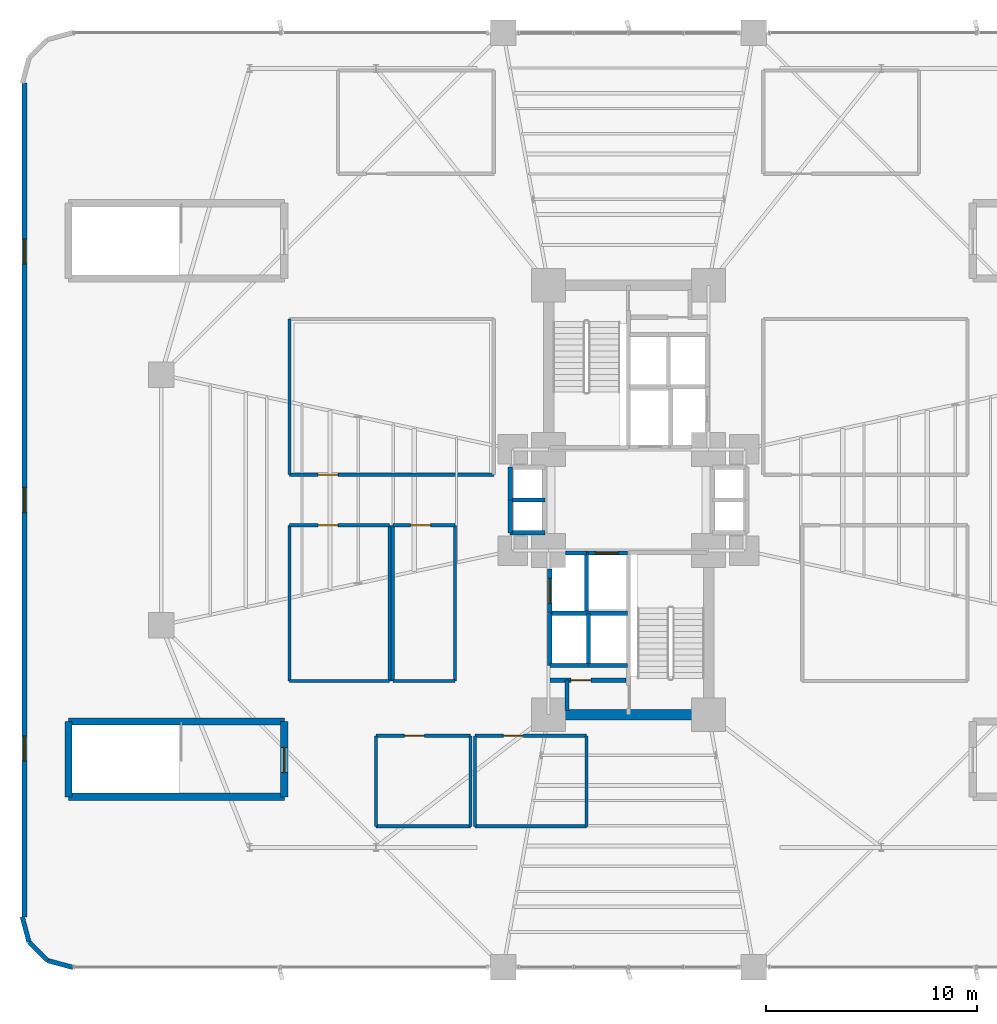
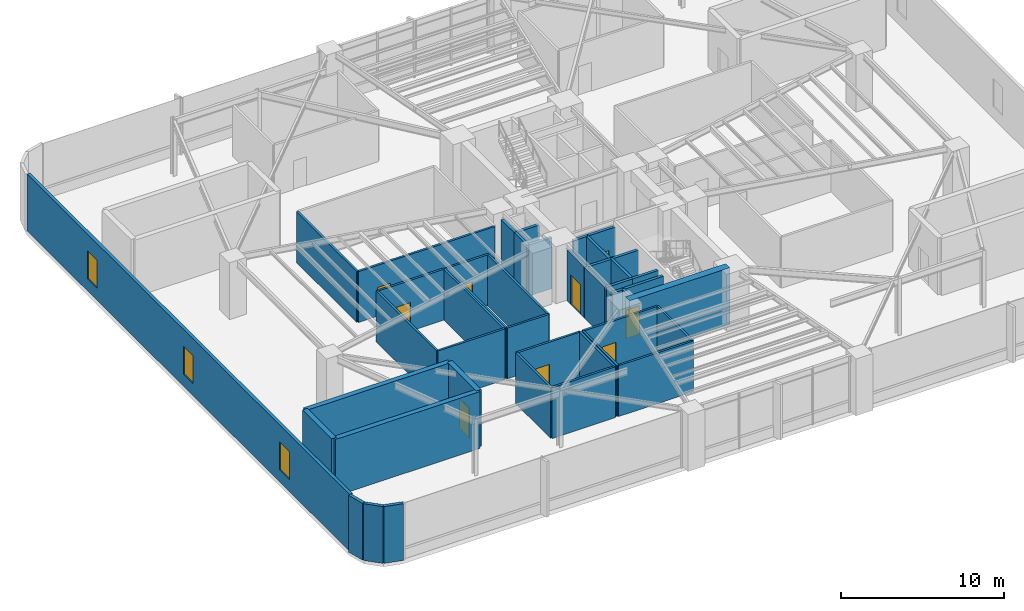
# One storey, part 21 of 26: 42 walls, 9 doors, 3 windows, 12 openings.
"""IFC4 building model written with IfcOpenShell, lengths in metres."""

import ifcopenshell
import ifcopenshell.guid

model = None  # the IFC model being written
_history = None  # IfcOwnerHistory: only IFC2X3 demands one
_inside = {}  # id of a spatial element -> (the spatial element, [elements in it])
_under = {}  # id of a project, library or spatial element -> (it, [spatial elements below it])
_declared = {}  # id of a project -> (the project, [libraries it declares])
_typed = {}  # id of a type object -> (the type object, [elements of that type])
_made_of = {}  # id of a material, layer set ... -> (it, [elements and type objects made of it])


def new_model(schema):
    """Start an empty IFC model of exactly this schema.

    Asked for "IFC4X3", IfcOpenShell would pick the latest addendum, in which some entities
    have other attributes; the version numbers below select the first issue.
    IFC2X3 requires an IfcOwnerHistory on every rooted entity: one is made here for all.
    """
    global model, _history
    if schema == "IFC4X3":
        model = ifcopenshell.file(schema_version=(4, 3, 0, 0))
    else:
        model = ifcopenshell.file(schema=schema)
    _inside.clear()
    _under.clear()
    _declared.clear()
    _typed.clear()
    _made_of.clear()
    _history = None
    if model.schema == "IFC2X3":
        org = make("IfcOrganization", Name="unknown")
        user = make(
            "IfcPersonAndOrganization",
            ThePerson=make("IfcPerson", FamilyName="unknown"),
            TheOrganization=org,
        )
        app = make(
            "IfcApplication",
            ApplicationDeveloper=org,
            Version="unknown",
            ApplicationFullName="unknown",
            ApplicationIdentifier="unknown",
        )
        _history = make(
            "IfcOwnerHistory",
            OwningUser=user,
            OwningApplication=app,
            ChangeAction="ADDED",
            CreationDate=0,
        )
    return model


def make(cls, **values):
    """One entity of the class cls with the attributes given. An attribute that is None is left unset."""
    return model.create_entity(
        cls, **{name: value for name, value in values.items() if value is not None}
    )


def rooted(cls, **values):
    """An entity with a GlobalId (a new one), such as an element, a storey or a relation."""
    return make(cls, GlobalId=ifcopenshell.guid.new(), OwnerHistory=_history, **values)


def si_unit(unit_type, name, prefix=None):
    """IfcSIUnit, for example si_unit("LENGTHUNIT", "METRE", prefix="MILLI")."""
    return make("IfcSIUnit", UnitType=unit_type, Prefix=prefix, Name=name)


def assignment(units):
    """IfcUnitAssignment: the units of a project."""
    return None if units is None else make("IfcUnitAssignment", Units=units)


def point(xyz):
    """IfcCartesianPoint."""
    return None if xyz is None else make("IfcCartesianPoint", Coordinates=xyz)


def direction(xyz):
    """IfcDirection."""
    return None if xyz is None else make("IfcDirection", DirectionRatios=xyz)


def frame(location, z_axis=None, x_axis=None):
    """IfcAxis2Placement3D, a coordinate frame: its origin and axes. An axis left out is left unset."""
    return make(
        "IfcAxis2Placement3D",
        Location=point(location),
        Axis=direction(z_axis),
        RefDirection=direction(x_axis),
    )


def frame_2d(location, x_axis=None):
    """IfcAxis2Placement2D, a coordinate frame in the plane: its origin and x axis."""
    return make(
        "IfcAxis2Placement2D", Location=point(location), RefDirection=direction(x_axis)
    )


def origin():
    """The frame at (0, 0, 0) with its axes left unset."""
    return frame((0.0, 0.0, 0.0))


def origin_2d():
    """The frame at (0, 0) in the plane with its x axis left unset."""
    return frame_2d((0.0, 0.0))


def place(relative_to, where):
    """IfcLocalPlacement: puts the frame where relative to a parent placement (None: the world)."""
    return make(
        "IfcLocalPlacement", PlacementRelTo=relative_to, RelativePlacement=where
    )


def context(
    kind, dimensions, precision=None, world=None, true_north=None, identifier=None
):
    """IfcGeometricRepresentationContext, for example the 3D "Model" context."""
    return make(
        "IfcGeometricRepresentationContext",
        ContextIdentifier=identifier,
        ContextType=kind,
        CoordinateSpaceDimension=dimensions,
        Precision=precision,
        WorldCoordinateSystem=world,
        TrueNorth=true_north,
    )


def subcontext(parent, identifier, kind, view, scale=None):
    """IfcGeometricRepresentationSubContext, for example "Body" below "Model"."""
    return make(
        "IfcGeometricRepresentationSubContext",
        ContextIdentifier=identifier,
        ContextType=kind,
        ParentContext=parent,
        TargetScale=scale,
        TargetView=view,
    )


def project(units=None, contexts=None):
    """IfcProject with its units and contexts."""
    return rooted(
        "IfcProject",
        Name="project",
        RepresentationContexts=contexts,
        UnitsInContext=assignment(units),
    )


def spatial(cls, under=None, at=None, **own):
    """A site, building, storey or space (cls), placed at a placement, below another one or the project."""
    s = rooted(cls, ObjectPlacement=at, **own)
    if under is not None:
        _under.setdefault(under.id(), (under, []))[1].append(s)
    return s


def profile(cls, at=None, kind="AREA", **sizes):
    """A parametric profile (cls). Its sizes go by their IFC names, for example OverallWidth=200.0."""
    return make(cls, ProfileType=kind, Position=at, **sizes)


def rectangle(**sizes):
    """IfcRectangleProfileDef."""
    return profile("IfcRectangleProfileDef", **sizes)


def extrude(swept, where, along, depth):
    """IfcExtrudedAreaSolid: the profile swept, set in the frame where, extruded along a direction by depth."""
    return make(
        "IfcExtrudedAreaSolid",
        SweptArea=swept,
        Position=where,
        ExtrudedDirection=direction(along),
        Depth=depth,
    )


def shape(context_of_items, identifier, shape_type, items):
    """IfcShapeRepresentation: the items that make up one representation, for example the "Body"."""
    return make(
        "IfcShapeRepresentation",
        ContextOfItems=context_of_items,
        RepresentationIdentifier=identifier,
        RepresentationType=shape_type,
        Items=items,
    )


def source(mapping_origin, context_of_items, identifier, shape_type, items):
    """IfcRepresentationMap: a shape defined once, which mapped items show again and again."""
    return make(
        "IfcRepresentationMap",
        MappingOrigin=mapping_origin,
        MappedRepresentation=shape(context_of_items, identifier, shape_type, items),
    )


def transform(
    local_origin,
    x_axis=None,
    y_axis=None,
    z_axis=None,
    scale=None,
    scale2=None,
    scale3=None,
    uniform=True,
):
    """IfcCartesianTransformationOperator3D, or its non-uniform kind. x_axis, y_axis, z_axis: its Axis1, 2, 3."""
    if uniform:
        return make(
            "IfcCartesianTransformationOperator3D",
            Axis1=direction(x_axis),
            Axis2=direction(y_axis),
            LocalOrigin=point(local_origin),
            Scale=scale,
            Axis3=direction(z_axis),
        )
    return make(
        "IfcCartesianTransformationOperator3DnonUniform",
        Axis1=direction(x_axis),
        Axis2=direction(y_axis),
        LocalOrigin=point(local_origin),
        Scale=scale,
        Axis3=direction(z_axis),
        Scale2=scale2,
        Scale3=scale3,
    )


def mapped(mapping_source, mapping_target):
    """IfcMappedItem: shows the shape of a source again, moved by a transform."""
    return make(
        "IfcMappedItem", MappingSource=mapping_source, MappingTarget=mapping_target
    )


def material(Name=None, Category=None):
    """IfcMaterial."""
    return make("IfcMaterial", Name=Name, Category=Category)


def layer(
    of_material, thickness, ventilated=None, Name=None, Category=None, Priority=None
):
    """IfcMaterialLayer: one layer of a wall or slab, of a material (None: an air gap)."""
    return make(
        "IfcMaterialLayer",
        Material=of_material,
        LayerThickness=thickness,
        IsVentilated=ventilated,
        Name=Name,
        Category=Category,
        Priority=Priority,
    )


def layer_set(layers, Name=None):
    """IfcMaterialLayerSet."""
    return make("IfcMaterialLayerSet", MaterialLayers=layers, LayerSetName=Name)


def made_of(thing, what):
    """Note that an element or type object is made of a material, layer set ...; save() writes the relation."""
    if what is not None:
        _made_of.setdefault(what.id(), (what, []))[1].append(thing)
    return thing


def type_object(cls, material=None, **own):
    """A type object (cls), such as IfcWallType, which elements share."""
    return made_of(rooted(cls, **own), material)


def element(
    cls,
    number,
    at=None,
    inside=None,
    cuts=None,
    type_object=None,
    material=None,
    context=None,
    identifier="Body",
    shape_type=None,
    held_by="IfcProductDefinitionShape",
    body=None,
    shapes=None,
    **own,
):
    """One element of the class cls, such as IfcWall. Its Tag is "e" and its number.

    at: its placement. inside: the storey or other place that contains it. cuts: it is an
    opening in that element (IfcRelVoidsElement). A single representation is given by context,
    identifier, shape_type and body (its items); several are given by shapes. held_by: the class
    of the entity that holds the representations. save() writes the other relations.
    """
    e = rooted(cls, Tag="e%d" % number, ObjectPlacement=at, **own)
    if body is not None:
        shapes = [shape(context, identifier, shape_type, body)]
    if shapes is not None:
        e.Representation = make(held_by, Representations=shapes)
    if inside is not None:
        _inside.setdefault(inside.id(), (inside, []))[1].append(e)
    if cuts is not None:
        rooted(
            "IfcRelVoidsElement", RelatingBuildingElement=cuts, RelatedOpeningElement=e
        )
    if type_object is not None:
        _typed.setdefault(type_object.id(), (type_object, []))[1].append(e)
    return made_of(e, material)


def fill(opening, filler):
    """IfcRelFillsElement: the door or window that sits in an opening."""
    return rooted(
        "IfcRelFillsElement",
        RelatingOpeningElement=opening,
        RelatedBuildingElement=filler,
    )


def aggregate(whole, parts):
    """IfcRelAggregates: a whole, such as a stair, and the parts it consists of."""
    return rooted("IfcRelAggregates", RelatingObject=whole, RelatedObjects=parts)


def save(model, path):
    """Write the relations noted so far, then the file.

    IfcRelAggregates (storeys below a building ...), IfcRelContainedInSpatialStructure (elements
    in a storey), IfcRelDefinesByType, IfcRelAssociatesMaterial and IfcRelDeclares: one each for
    every whole, place, type object, material and project.
    """
    for whole, parts in _under.values():
        aggregate(whole, parts)
    for where, things in _inside.values():
        rooted(
            "IfcRelContainedInSpatialStructure",
            RelatedElements=things,
            RelatingStructure=where,
        )
    for kind, things in _typed.values():
        rooted("IfcRelDefinesByType", RelatedObjects=things, RelatingType=kind)
    for what, things in _made_of.values():
        rooted("IfcRelAssociatesMaterial", RelatedObjects=things, RelatingMaterial=what)
    for by, libraries in _declared.values():
        rooted("IfcRelDeclares", RelatingContext=by, RelatedDefinitions=libraries)
    model.write(path)


model = new_model("IFC4")

# Units and contexts
model_context = context("Model", 3, precision=1e-05, world=origin(), true_north=direction((0.0, 1.0)))
body_context = subcontext(model_context, "Body", "Model", "MODEL_VIEW")
ifc_project = project(units=[si_unit("LENGTHUNIT", "METRE"), si_unit("AREAUNIT", "SQUARE_METRE"), si_unit("VOLUMEUNIT", "CUBIC_METRE"), si_unit("PLANEANGLEUNIT", "RADIAN"), si_unit("MASSUNIT", "GRAM", prefix="KILO")], contexts=[model_context])

# Site, building, storey
site_placement = place(None, origin())
site = spatial("IfcSite", under=ifc_project, at=site_placement, CompositionType="ELEMENT")
building_placement = place(site_placement, origin())
building = spatial("IfcBuilding", under=site, at=building_placement, Name="Sahyath Konkavel Grand Hotel", CompositionType="ELEMENT")
storey_placement = place(building_placement, frame((0.0, 0.0, 18.60009765625)))
storey = spatial("IfcBuildingStorey", under=building, at=storey_placement, Name="L04", CompositionType="ELEMENT", Elevation=18.60009765625)

# Walls
ifc_material_1 = material(Name="Concrete C40/50", Category="concrete")
ifc_layer_1 = layer(ifc_material_1, 0.35009765625)
ifc_layer_set_1 = layer_set([ifc_layer_1], Name="Concrete C40/50")
wall_type_1 = type_object("IfcWallType", Name="CWALL-350", PredefinedType="SHEAR", material=ifc_layer_set_1)
for number, where, z_axis, x_axis, name in (
    (1, (-26.60009765625, -10.52001953125, 0.0), (0.0, 0.0, 1.0), (1.0, 0.0, 0.0), "L04 Partition ST-P3-N"),
    (2, (-26.60009765625, -14.10009765625, 0.0), (0.0, 0.0, 1.0), (1.0, 0.0, 0.0), "L04 Partition ST-P3-S"),
):
    element("IfcWall", number, at=place(storey_placement, frame(where, z_axis=z_axis, x_axis=x_axis)), inside=storey, type_object=wall_type_1, Name=name, PredefinedType="SHEAR", context=body_context, shape_type="SweptSolid", body=[
        extrude(rectangle(XDim=10.25, YDim=0.35009765625, at=frame_2d((5.125, 0.0))), origin(), (0.0, 0.0, 1.0), 4.260009765625),
    ])
wall_1_placement = place(storey_placement, frame((-26.60009765625, -14.10009765625, 0.0), z_axis=(0.0, 0.0, 1.0), x_axis=(0.0, 1.0, 0.0)))
element("IfcWall", 3, at=wall_1_placement, inside=storey, type_object=wall_type_1, Name="L04 Partition ST-P3-W", PredefinedType="SHEAR", context=body_context, shape_type="SweptSolid", body=[
    extrude(rectangle(XDim=3.580078125, YDim=0.35009765625, at=frame_2d((1.7900390625, 0.0))), origin(), (0.0, 0.0, 1.0), 4.260009765625),
])

# Wall, opening, door
wall_2_placement = place(storey_placement, frame((-16.35009765625, -14.10009765625, 0.0), z_axis=(0.0, 0.0, 1.0), x_axis=(0.0, 1.0, 0.0)))
wall_2 = element("IfcWall", 4, at=wall_2_placement, inside=storey, type_object=wall_type_1, Name="L04 Partition ST-P3-E", PredefinedType="SHEAR", context=body_context, shape_type="SweptSolid", body=[
    extrude(rectangle(XDim=3.580078125, YDim=0.35009765625, at=frame_2d((1.7900390625, 0.0))), origin(), (0.0, 0.0, 1.0), 4.260009765625),
])
opening_1_placement = place(wall_2_placement, frame((1.14990234375, 0.0, 0.0)))
opening_1 = element("IfcOpeningElement", 5, at=opening_1_placement, cuts=wall_2, Name="Opening D-F12A", PredefinedType="OPENING", context=body_context, shape_type="SweptSolid", body=[
    extrude(rectangle(XDim=1.199951171875, YDim=2.199951171875, at=frame_2d((0.60009765625, 1.10009765625))), frame((0.0, 0.18505859375, 0.0), z_axis=(0.0, -1.0, 0.0), x_axis=(1.0, 0.0, 0.0)), (0.0, 0.0, 1.0), 0.3701171875),
])
ifc_material_2 = material(Name="Steel E350 Fire Door", Category="steel")
door_type_1 = type_object("IfcDoorType", Name="DR-FD120-1200", OperationType="NOTDEFINED", PredefinedType="DOOR", material=ifc_material_2)
shared_shape_1 = source(origin(), body_context, "Body", "SweptSolid", [
    extrude(rectangle(XDim=1.199951171875, YDim=0.050048828125, at=origin_2d()), origin(), (0.0, 0.0, 1.0), 2.199951171875),
])
door_1_placement = place(opening_1_placement, frame((0.60009765625, 0.0, 0.0)))
door_1 = element("IfcDoor", 6, at=door_1_placement, inside=storey, type_object=door_type_1, Name="L04 ST-P3 Fire Door", OperationType="SINGLE_SWING_RIGHT", OverallHeight=2.199951171875, OverallWidth=1.199951171875, PredefinedType="DOOR", context=body_context, shape_type="MappedRepresentation", body=[
    mapped(shared_shape_1, transform((0.0, 0.0, 0.0), scale=1.0)),
])
fill(opening_1, door_1)

# Walls
ifc_material_3 = material(Name="Concrete C70/85", Category="concrete")
ifc_layer_2 = layer(ifc_material_3, 0.5)
ifc_layer_set_2 = layer_set([ifc_layer_2], Name="Concrete C70/85")
wall_type_2 = type_object("IfcWallType", Name="CWALL-500", PredefinedType="SHEAR", material=ifc_layer_set_2)
wall_3_placement = place(storey_placement, frame((-3.550048828125, -10.199951171875, 0.0), z_axis=(0.0, 0.0, 1.0), x_axis=(1.0, 0.0, 0.0)))
element("IfcWall", 7, at=wall_3_placement, inside=storey, type_object=wall_type_2, Name="L04 South Core Shear Wall S", PredefinedType="SHEAR", context=body_context, shape_type="SweptSolid", body=[
    extrude(rectangle(XDim=7.10009765625, YDim=0.5, at=frame_2d((3.550048828125, 0.0))), origin(), (0.0, 0.0, 1.0), 4.260009765625),
])
ifc_material_4 = material(Name="Warm Buff Sandstone Insulated Concrete C40/50", Category="masonry")
ifc_layer_3 = layer(ifc_material_4, 0.219970703125)
ifc_layer_set_3 = layer_set([ifc_layer_3], Name="Warm Buff Sandstone Insulated Concrete C40/50")
wall_type_3 = type_object("IfcWallType", Name="WLL-BALC-THRESH", PredefinedType="STANDARD", material=ifc_layer_set_3)
for number, where, z_axis, x_axis, name in (
    (8, (-28.800048828125, -19.800048828125, 0.0), (0.0, 0.0, 1.0), (0.258824494443, -0.965924366126, 0.0), "L04 Rounded Podium Corner Sandstone Pier 12"),
    (9, (-28.478515625, -21.0, 0.0), (0.0, 0.0, 1.0), (0.707106781187, -0.707106781187, 0.0), "L04 Rounded Podium Corner Sandstone Pier 13"),
):
    element("IfcWall", number, at=place(storey_placement, frame(where, z_axis=z_axis, x_axis=x_axis)), inside=storey, type_object=wall_type_3, Name=name, PredefinedType="STANDARD", context=body_context, shape_type="SweptSolid", body=[
        extrude(rectangle(XDim=1.2421875, YDim=0.219970703125, at=frame_2d((0.62109375, 0.0))), origin(), (0.0, 0.0, 1.0), 4.260009765625),
    ])
wall_4_placement = place(storey_placement, frame((-27.60009765625, -21.87841796875, 0.0), z_axis=(0.0, 0.0, 1.0), x_axis=(0.965937527666, -0.25877537102, 0.0)))
element("IfcWall", 10, at=wall_4_placement, inside=storey, type_object=wall_type_3, Name="L04 Rounded Podium Corner Sandstone Pier 14", PredefinedType="STANDARD", context=body_context, shape_type="SweptSolid", body=[
    extrude(rectangle(XDim=1.242431640625, YDim=0.219970703125, at=frame_2d((0.62109375, 0.0))), origin(), (0.0, 0.0, 1.0), 4.260009765625),
])

# Wall, openings, windows
wall_5_placement = place(storey_placement, frame((-28.68994140625, 19.800048828125, 0.0), z_axis=(0.0, 0.0, 1.0), x_axis=(0.0, -1.0, 0.0)))
wall_5 = element("IfcWall", 11, at=wall_5_placement, inside=storey, type_object=wall_type_3, Name="L04 Sandstone Podium Facade Wall W", PredefinedType="STANDARD", context=body_context, shape_type="SweptSolid", body=[
    extrude(rectangle(XDim=39.60009765625, YDim=0.219970703125, at=frame_2d((19.800048828125, 0.0))), origin(), (0.0, 0.0, 1.0), 4.260009765625),
])
opening_2_placement = place(wall_5_placement, frame((31.0, 0.0, 0.89990234375)))
opening_2 = element("IfcOpeningElement", 12, at=opening_2_placement, cuts=wall_5, Name="Opening W-PD2", PredefinedType="OPENING", context=body_context, shape_type="SweptSolid", body=[
    extrude(rectangle(XDim=1.199951171875, YDim=2.10009765625, at=frame_2d((0.60009765625, 1.050048828125))), frame((0.0, 0.1201171875, 0.0), z_axis=(0.0, -1.0, 0.0), x_axis=(1.0, 0.0, 0.0)), (0.0, 0.0, 1.0), 0.239990234375),
])
opening_3_placement = place(wall_5_placement, frame((19.199951171875, 0.0, 0.89990234375)))
opening_3 = element("IfcOpeningElement", 13, at=opening_3_placement, cuts=wall_5, Name="Opening W-PD2", PredefinedType="OPENING", context=body_context, shape_type="SweptSolid", body=[
    extrude(rectangle(XDim=1.199951171875, YDim=2.10009765625, at=frame_2d((0.60009765625, 1.050048828125))), frame((0.0, 0.1201171875, 0.0), z_axis=(0.0, -1.0, 0.0), x_axis=(1.0, 0.0, 0.0)), (0.0, 0.0, 1.0), 0.239990234375),
])
opening_4_placement = place(wall_5_placement, frame((7.39990234375, 0.0, 0.89990234375)))
opening_4 = element("IfcOpeningElement", 14, at=opening_4_placement, cuts=wall_5, Name="Opening W-PD2", PredefinedType="OPENING", context=body_context, shape_type="SweptSolid", body=[
    extrude(rectangle(XDim=1.199951171875, YDim=2.10009765625, at=frame_2d((0.60009765625, 1.050048828125))), frame((0.0, 0.1201171875, 0.0), z_axis=(0.0, -1.0, 0.0), x_axis=(1.0, 0.0, 0.0)), (0.0, 0.0, 1.0), 0.239990234375),
])
ifc_material_5 = material(Name="Anodised Bronze Aluminium & Low-E Glazing", Category="aluminium")
window_type = type_object("IfcWindowType", Name="WIN-POD-1200", PartitioningType="SINGLE_PANEL", PredefinedType="WINDOW", material=ifc_material_5)
shared_shape_2 = source(origin(), body_context, "Body", "SweptSolid", [
    extrude(rectangle(XDim=1.199951171875, YDim=0.06005859375, at=origin_2d()), origin(), (0.0, 0.0, 1.0), 2.10009765625),
])
window_1_placement = place(opening_2_placement, frame((0.60009765625, 0.0, 0.0)))
window_1 = element("IfcWindow", 15, at=window_1_placement, inside=storey, type_object=window_type, Name="L04 Podium Window W-1", OverallHeight=2.10009765625, OverallWidth=1.199951171875, PartitioningType="SINGLE_PANEL", PredefinedType="WINDOW", context=body_context, shape_type="MappedRepresentation", body=[
    mapped(shared_shape_2, transform((0.0, 0.0, 0.0), scale=1.0)),
])
fill(opening_2, window_1)
window_2_placement = place(opening_3_placement, frame((0.60009765625, 0.0, 0.0)))
window_2 = element("IfcWindow", 16, at=window_2_placement, inside=storey, type_object=window_type, Name="L04 Podium Window W-2", OverallHeight=2.10009765625, OverallWidth=1.199951171875, PartitioningType="SINGLE_PANEL", PredefinedType="WINDOW", context=body_context, shape_type="MappedRepresentation", body=[
    mapped(shared_shape_2, transform((0.0, 0.0, 0.0), scale=1.0)),
])
fill(opening_3, window_2)
window_3_placement = place(opening_4_placement, frame((0.60009765625, 0.0, 0.0)))
window_3 = element("IfcWindow", 17, at=window_3_placement, inside=storey, type_object=window_type, Name="L04 Podium Window W-3", OverallHeight=2.10009765625, OverallWidth=1.199951171875, PartitioningType="SINGLE_PANEL", PredefinedType="WINDOW", context=body_context, shape_type="MappedRepresentation", body=[
    mapped(shared_shape_2, transform((0.0, 0.0, 0.0), scale=1.0)),
])
fill(opening_4, window_3)

# Wall
ifc_layer_4 = layer(ifc_material_1, 0.199951171875)
ifc_layer_set_4 = layer_set([ifc_layer_4], Name="Concrete C40/50")
wall_type_4 = type_object("IfcWallType", Name="WLL-CORE-200", PredefinedType="SOLIDWALL", material=ifc_layer_set_4)
wall_6_placement = place(storey_placement, frame((-2.0, -5.280029296875, 0.0), z_axis=(0.0, 0.0, 1.0), x_axis=(0.0, 1.0, 0.0)))
element("IfcWall", 18, at=wall_6_placement, inside=storey, type_object=wall_type_4, Name="L04 Partition SH-FFL2-W", PredefinedType="SOLIDWALL", context=body_context, shape_type="SweptSolid", body=[
    extrude(rectangle(XDim=2.780029296875, YDim=0.199951171875, at=frame_2d((1.39013671875, 0.0))), origin(), (0.0, 0.0, 1.0), 3.809814453125),
])

# Wall, opening, door
wall_7_placement = place(storey_placement, frame((-2.0, -2.52001953125, 0.0), z_axis=(0.0, 0.0, 1.0), x_axis=(1.0, 0.0, 0.0)))
wall_7 = element("IfcWall", 19, at=wall_7_placement, inside=storey, type_object=wall_type_4, Name="L04 Partition SH-FFL2-N", PredefinedType="SOLIDWALL", context=body_context, shape_type="SweptSolid", body=[
    extrude(rectangle(XDim=1.949951171875, YDim=0.199951171875, at=frame_2d((0.97509765625, 0.0))), origin(), (0.0, 0.0, 1.0), 3.809814453125),
])
opening_5_placement = place(wall_7_placement, frame((0.419921875, 0.0, 0.0)))
opening_5 = element("IfcOpeningElement", 20, at=opening_5_placement, cuts=wall_7, Name="Opening LD-11", PredefinedType="OPENING", context=body_context, shape_type="SweptSolid", body=[
    extrude(rectangle(XDim=1.10009765625, YDim=2.199951171875, at=frame_2d((0.550048828125, 1.10009765625))), frame((0.0, 0.10986328125, 0.0), z_axis=(0.0, -1.0, 0.0), x_axis=(1.0, 0.0, 0.0)), (0.0, 0.0, 1.0), 0.219970703125),
])
ifc_material_6 = material(Name="Bronze Lift Landing Door 1100")
door_type_2 = type_object("IfcDoorType", Name="DR-LIFT-1100", OperationType="DOUBLE_DOOR_SLIDING", PredefinedType="DOOR", material=ifc_material_6)
shared_shape_3 = source(origin(), body_context, "Body", "SweptSolid", [
    extrude(rectangle(XDim=1.10009765625, YDim=0.050048828125, at=origin_2d()), origin(), (0.0, 0.0, 1.0), 2.199951171875),
])
door_2_placement = place(opening_5_placement, frame((0.550048828125, 0.0, 0.0)))
door_2 = element("IfcDoor", 21, at=door_2_placement, inside=storey, type_object=door_type_2, Name="L04 Lift FFL-2 Landing Door", OperationType="DOUBLE_DOOR_SLIDING", OverallHeight=2.199951171875, OverallWidth=1.10009765625, PredefinedType="DOOR", context=body_context, shape_type="MappedRepresentation", body=[
    mapped(shared_shape_3, transform((0.0, 0.0, 0.0), scale=1.0)),
])
fill(opening_5, door_2)

# Wall
wall_8_placement = place(storey_placement, frame((-3.0, -2.52001953125, 0.0), z_axis=(0.0, 0.0, 1.0), x_axis=(1.0, 0.0, 0.0)))
element("IfcWall", 22, at=wall_8_placement, inside=storey, type_object=wall_type_4, Name="L04 Partition SH-SVL2-N", PredefinedType="SOLIDWALL", context=body_context, shape_type="SweptSolid", body=[
    extrude(rectangle(XDim=1.0, YDim=0.199951171875, at=frame_2d((0.5, 0.0))), origin(), (0.0, 0.0, 1.0), 3.809814453125),
])

# Wall, opening, door
wall_9_placement = place(storey_placement, frame((-3.739990234375, -5.360107421875, 0.0), z_axis=(0.0, 0.0, 1.0), x_axis=(0.0, 1.0, 0.0)))
wall_9 = element("IfcWall", 23, at=wall_9_placement, inside=storey, type_object=wall_type_4, Name="L04 Partition SH-SVL2-W", PredefinedType="SOLIDWALL", context=body_context, shape_type="SweptSolid", body=[
    extrude(rectangle(XDim=2.080078125, YDim=0.199951171875, at=frame_2d((1.0400390625, 0.0))), origin(), (0.0, 0.0, 1.0), 3.809814453125),
])
opening_6_placement = place(wall_9_placement, frame((0.43994140625, 0.0, 0.0)))
opening_6 = element("IfcOpeningElement", 24, at=opening_6_placement, cuts=wall_9, Name="Opening LD-12", PredefinedType="OPENING", context=body_context, shape_type="SweptSolid", body=[
    extrude(rectangle(XDim=1.199951171875, YDim=2.199951171875, at=frame_2d((0.60009765625, 1.10009765625))), frame((0.0, 0.10986328125, 0.0), z_axis=(0.0, -1.0, 0.0), x_axis=(1.0, 0.0, 0.0)), (0.0, 0.0, 1.0), 0.219970703125),
])
ifc_material_7 = material(Name="Stainless Steel Lift Landing Door 1200", Category="steel")
door_type_3 = type_object("IfcDoorType", Name="DR-LIFT-1200", OperationType="DOUBLE_DOOR_SLIDING", PredefinedType="DOOR", material=ifc_material_7)
door_3_placement = place(opening_6_placement, frame((0.60009765625, 0.0, 0.0)))
door_3 = element("IfcDoor", 25, at=door_3_placement, inside=storey, type_object=door_type_3, Name="L04 Service Lift SVL-2 Landing Door", OperationType="DOUBLE_DOOR_SLIDING", OverallHeight=2.199951171875, OverallWidth=1.199951171875, PredefinedType="DOOR", context=body_context, shape_type="MappedRepresentation", body=[
    mapped(shared_shape_1, transform((0.0, 0.0, 0.0), scale=1.0)),
])
fill(opening_6, door_3)

# Walls
wall_10_placement = place(storey_placement, frame((-3.739990234375, -7.860107421875, 0.0), z_axis=(0.0, 0.0, 1.0), x_axis=(0.0, 1.0, 0.0)))
element("IfcWall", 26, at=wall_10_placement, inside=storey, type_object=wall_type_4, Name="L04 Partition SH-PL3-W", PredefinedType="SOLIDWALL", context=body_context, shape_type="SweptSolid", body=[
    extrude(rectangle(XDim=2.480224609375, YDim=0.199951171875, at=frame_2d((1.240234375, 0.0))), origin(), (0.0, 0.0, 1.0), 3.809814453125),
])
wall_11_placement = place(storey_placement, frame((-3.739990234375, -7.860107421875, 0.0), z_axis=(0.0, 0.0, 1.0), x_axis=(1.0, 0.0, 0.0)))
element("IfcWall", 27, at=wall_11_placement, inside=storey, type_object=wall_type_4, Name="L04 Partition SH-PL3-S", PredefinedType="SOLIDWALL", context=body_context, shape_type="SweptSolid", body=[
    extrude(rectangle(XDim=1.840087890625, YDim=0.199951171875, at=frame_2d((0.919921875, 0.0))), origin(), (0.0, 0.0, 1.0), 3.809814453125),
])
wall_12_placement = place(storey_placement, frame((-3.739990234375, -5.3798828125, 0.0), z_axis=(0.0, 0.0, 1.0), x_axis=(1.0, 0.0, 0.0)))
element("IfcWall", 28, at=wall_12_placement, inside=storey, type_object=wall_type_4, Name="L04 Partition SH-PL34-N", PredefinedType="SOLIDWALL", context=body_context, shape_type="SweptSolid", body=[
    extrude(rectangle(XDim=3.68994140625, YDim=0.199951171875, at=frame_2d((1.844970703125, 0.0))), origin(), (0.0, 0.0, 1.0), 3.809814453125),
])
wall_13_placement = place(storey_placement, frame((-1.89990234375, -7.860107421875, 0.0), z_axis=(0.0, 0.0, 1.0), x_axis=(0.0, 1.0, 0.0)))
element("IfcWall", 29, at=wall_13_placement, inside=storey, type_object=wall_type_4, Name="L04 Partition SH-PL34-M", PredefinedType="SOLIDWALL", context=body_context, shape_type="SweptSolid", body=[
    extrude(rectangle(XDim=2.480224609375, YDim=0.199951171875, at=frame_2d((1.240234375, 0.0))), origin(), (0.0, 0.0, 1.0), 3.809814453125),
])
wall_14_placement = place(storey_placement, frame((-1.89990234375, -7.860107421875, 0.0), z_axis=(0.0, 0.0, 1.0), x_axis=(1.0, 0.0, 0.0)))
element("IfcWall", 30, at=wall_14_placement, inside=storey, type_object=wall_type_4, Name="L04 Partition SH-PL4-S", PredefinedType="SOLIDWALL", context=body_context, shape_type="SweptSolid", body=[
    extrude(rectangle(XDim=1.849853515625, YDim=0.199951171875, at=frame_2d((0.9248046875, 0.0))), origin(), (0.0, 0.0, 1.0), 3.809814453125),
])
for number, where, z_axis, x_axis, name in (
    (31, (-5.6201171875, -1.56005859375, 0.0), (0.0, 0.0, 1.0), (1.0, 0.0, 0.0), "L04 Partition SH-SL12-S"),
    (32, (-5.6201171875, 0.0, 0.0), (0.0, 0.0, 1.0), (1.0, 0.0, 0.0), "L04 Partition SH-SL12-M"),
):
    element("IfcWall", number, at=place(storey_placement, frame(where, z_axis=z_axis, x_axis=x_axis)), inside=storey, type_object=wall_type_4, Name=name, PredefinedType="SOLIDWALL", context=body_context, shape_type="SweptSolid", body=[
        extrude(rectangle(XDim=1.64013671875, YDim=0.199951171875, at=frame_2d((0.820068359375, 0.0))), origin(), (0.0, 0.0, 1.0), 3.809814453125),
    ])
for number, where, z_axis, x_axis, name in (
    (33, (-5.6201171875, 0.0, 0.0), (0.0, 0.0, 1.0), (0.0, 1.0, 0.0), "L04 Partition SH-SL1-W"),
    (34, (-5.6201171875, -1.56005859375, 0.0), (0.0, 0.0, 1.0), (0.0, 1.0, 0.0), "L04 Partition SH-SL2-W"),
):
    element("IfcWall", number, at=place(storey_placement, frame(where, z_axis=z_axis, x_axis=x_axis)), inside=storey, type_object=wall_type_4, Name=name, PredefinedType="SOLIDWALL", context=body_context, shape_type="SweptSolid", body=[
        extrude(rectangle(XDim=1.56005859375, YDim=0.199951171875, at=frame_2d((0.780029296875, 0.0))), origin(), (0.0, 0.0, 1.0), 3.809814453125),
    ])

# Wall, opening, door
wall_15_placement = place(storey_placement, frame((-3.739990234375, -8.56005859375, 0.0), z_axis=(0.0, 0.0, 1.0), x_axis=(1.0, 0.0, 0.0)))
wall_15 = element("IfcWall", 35, at=wall_15_placement, inside=storey, type_object=wall_type_4, Name="L04 South FF Lobby Separation Wall", PredefinedType="SOLIDWALL", context=body_context, shape_type="SweptSolid", body=[
    extrude(rectangle(XDim=3.619873046875, YDim=0.199951171875, at=frame_2d((1.81005859375, 0.0))), origin(), (0.0, 0.0, 1.0), 3.809814453125),
])
opening_7_placement = place(wall_15_placement, frame((1.0, 0.0, 0.0)))
opening_7 = element("IfcOpeningElement", 36, at=opening_7_placement, cuts=wall_15, Name="Opening D-F12C", PredefinedType="OPENING", context=body_context, shape_type="SweptSolid", body=[
    extrude(rectangle(XDim=0.949951171875, YDim=2.14990234375, at=frame_2d((0.47509765625, 1.074951171875))), frame((0.0, 0.10986328125, 0.0), z_axis=(0.0, -1.0, 0.0), x_axis=(1.0, 0.0, 0.0)), (0.0, 0.0, 1.0), 0.219970703125),
])
ifc_material_8 = material(Name="Steel E350 Plant Fire Door", Category="steel")
door_type_4 = type_object("IfcDoorType", Name="DR-FD120-950", OperationType="NOTDEFINED", PredefinedType="DOOR", material=ifc_material_8)
shared_shape_4 = source(origin(), body_context, "Body", "SweptSolid", [
    extrude(rectangle(XDim=0.949951171875, YDim=0.050048828125, at=origin_2d()), origin(), (0.0, 0.0, 1.0), 2.14990234375),
])
door_4_placement = place(opening_7_placement, frame((0.47509765625, 0.0, 0.0)))
door_4 = element("IfcDoor", 37, at=door_4_placement, inside=storey, type_object=door_type_4, Name="L04 South Firefighting Lobby Door", OperationType="SINGLE_SWING_LEFT", OverallHeight=2.14990234375, OverallWidth=0.949951171875, PredefinedType="DOOR", context=body_context, shape_type="MappedRepresentation", body=[
    mapped(shared_shape_4, transform((0.0, 0.0, 0.0), scale=1.0)),
])
fill(opening_7, door_4)

# Wall
wall_16_placement = place(storey_placement, frame((-2.919921875, -10.0, 0.0), z_axis=(0.0, 0.0, 1.0), x_axis=(0.0, 1.0, 0.0)))
element("IfcWall", 38, at=wall_16_placement, inside=storey, type_object=wall_type_4, Name="L04 Partition SFF-W2", PredefinedType="SOLIDWALL", context=body_context, shape_type="SweptSolid", body=[
    extrude(rectangle(XDim=1.43994140625, YDim=0.199951171875, at=frame_2d((0.719970703125, 0.0))), origin(), (0.0, 0.0, 1.0), 3.809814453125),
])

# Wall, opening, door
ifc_material_9 = material(Name="Fire-Rated Gypsum Plasterboard Partition")
ifc_layer_5 = layer(ifc_material_9, 0.14990234375)
ifc_layer_set_5 = layer_set([ifc_layer_5], Name="Fire-Rated Gypsum Plasterboard Partition")
wall_type_5 = type_object("IfcWallType", Name="WLL-PART-150", PredefinedType="PARTITIONING", material=ifc_layer_set_5)
wall_17_placement = place(storey_placement, frame((-16.10009765625, 1.199951171875, 0.0), z_axis=(0.0, 0.0, 1.0), x_axis=(1.0, 0.0, 0.0)))
wall_17 = element("IfcWall", 39, at=wall_17_placement, inside=storey, type_object=wall_type_5, Name="L04 Partition L04-SPA-S", PredefinedType="PARTITIONING", context=body_context, shape_type="SweptSolid", body=[
    extrude(rectangle(XDim=9.7001953125, YDim=0.14990234375, at=frame_2d((4.85009765625, 0.0))), origin(), (0.0, 0.0, 1.0), 3.809814453125),
])
opening_8_placement = place(wall_17_placement, frame((1.35009765625, 0.0, 0.0)))
opening_8 = element("IfcOpeningElement", 40, at=opening_8_placement, cuts=wall_17, Name="Opening D-F06B", PredefinedType="OPENING", context=body_context, shape_type="SweptSolid", body=[
    extrude(rectangle(XDim=0.949951171875, YDim=2.14990234375, at=frame_2d((0.47509765625, 1.074951171875))), frame((0.0, 0.0849609375, 0.0), z_axis=(0.0, -1.0, 0.0), x_axis=(1.0, 0.0, 0.0)), (0.0, 0.0, 1.0), 0.169921875),
])
ifc_material_10 = material(Name="Teak Veneer Fire-Rated Guest Entrance Door")
door_type_5 = type_object("IfcDoorType", Name="DR-FD60-950", OperationType="NOTDEFINED", PredefinedType="DOOR", material=ifc_material_10)
door_5_placement = place(opening_8_placement, frame((0.47509765625, 0.0, 0.0)))
door_5 = element("IfcDoor", 41, at=door_5_placement, inside=storey, type_object=door_type_5, Name="L04 Door L04-SPA-D", OperationType="SINGLE_SWING_RIGHT", OverallHeight=2.14990234375, OverallWidth=0.949951171875, PredefinedType="DOOR", context=body_context, shape_type="MappedRepresentation", body=[
    mapped(shared_shape_4, transform((0.0, 0.0, 0.0), scale=1.0)),
])
fill(opening_8, door_5)

# Wall
wall_18_placement = place(storey_placement, frame((-16.10009765625, 1.199951171875, 0.0), z_axis=(0.0, 0.0, 1.0), x_axis=(0.0, 1.0, 0.0)))
element("IfcWall", 42, at=wall_18_placement, inside=storey, type_object=wall_type_5, Name="L04 Partition L04-SPA-W", PredefinedType="PARTITIONING", context=body_context, shape_type="SweptSolid", body=[
    extrude(rectangle(XDim=7.400146484375, YDim=0.14990234375, at=frame_2d((3.7001953125, 0.0))), origin(), (0.0, 0.0, 1.0), 3.809814453125),
])

# Wall, opening, door
wall_19_placement = place(storey_placement, frame((-16.10009765625, -1.199951171875, 0.0), z_axis=(0.0, 0.0, 1.0), x_axis=(1.0, 0.0, 0.0)))
wall_19 = element("IfcWall", 43, at=wall_19_placement, inside=storey, type_object=wall_type_5, Name="L04 Partition L04-TRT1-N", PredefinedType="PARTITIONING", context=body_context, shape_type="SweptSolid", body=[
    extrude(rectangle(XDim=4.75, YDim=0.14990234375, at=frame_2d((2.375, 0.0))), origin(), (0.0, 0.0, 1.0), 3.809814453125),
])
opening_9_placement = place(wall_19_placement, frame((1.35009765625, 0.0, 0.0)))
opening_9 = element("IfcOpeningElement", 44, at=opening_9_placement, cuts=wall_19, Name="Opening D-F06B", PredefinedType="OPENING", context=body_context, shape_type="SweptSolid", body=[
    extrude(rectangle(XDim=0.949951171875, YDim=2.14990234375, at=frame_2d((0.47509765625, 1.074951171875))), frame((0.0, 0.0849609375, 0.0), z_axis=(0.0, -1.0, 0.0), x_axis=(1.0, 0.0, 0.0)), (0.0, 0.0, 1.0), 0.169921875),
])
door_6_placement = place(opening_9_placement, frame((0.47509765625, 0.0, 0.0)))
door_6 = element("IfcDoor", 45, at=door_6_placement, inside=storey, type_object=door_type_5, Name="L04 Door L04-TRT1-D", OperationType="SINGLE_SWING_LEFT", OverallHeight=2.14990234375, OverallWidth=0.949951171875, PredefinedType="DOOR", context=body_context, shape_type="MappedRepresentation", body=[
    mapped(shared_shape_4, transform((0.0, 0.0, 0.0), scale=1.0)),
])
fill(opening_9, door_6)

# Walls
wall_20_placement = place(storey_placement, frame((-16.10009765625, -8.60009765625, 0.0), z_axis=(0.0, 0.0, 1.0), x_axis=(1.0, 0.0, 0.0)))
element("IfcWall", 46, at=wall_20_placement, inside=storey, type_object=wall_type_5, Name="L04 Partition L04-TRT1-S", PredefinedType="PARTITIONING", context=body_context, shape_type="SweptSolid", body=[
    extrude(rectangle(XDim=4.75, YDim=0.14990234375, at=frame_2d((2.375, 0.0))), origin(), (0.0, 0.0, 1.0), 3.809814453125),
])
for number, where, z_axis, x_axis, name in (
    (47, (-16.10009765625, -8.60009765625, 0.0), (0.0, 0.0, 1.0), (0.0, 1.0, 0.0), "L04 Partition L04-TRT1-W"),
    (48, (-11.35009765625, -8.60009765625, 0.0), (0.0, 0.0, 1.0), (0.0, 1.0, 0.0), "L04 Partition L04-TRT1-E"),
):
    element("IfcWall", number, at=place(storey_placement, frame(where, z_axis=z_axis, x_axis=x_axis)), inside=storey, type_object=wall_type_5, Name=name, PredefinedType="PARTITIONING", context=body_context, shape_type="SweptSolid", body=[
        extrude(rectangle(XDim=7.400146484375, YDim=0.14990234375, at=frame_2d((3.7001953125, 0.0))), origin(), (0.0, 0.0, 1.0), 3.809814453125),
    ])

# Wall, opening, door
wall_21_placement = place(storey_placement, frame((-12.0, -11.199951171875, 0.0), z_axis=(0.0, 0.0, 1.0), x_axis=(1.0, 0.0, 0.0)))
wall_21 = element("IfcWall", 49, at=wall_21_placement, inside=storey, type_object=wall_type_5, Name="L04 Partition L04-AWC-N", PredefinedType="PARTITIONING", context=body_context, shape_type="SweptSolid", body=[
    extrude(rectangle(XDim=4.5, YDim=0.14990234375, at=frame_2d((2.25, 0.0))), origin(), (0.0, 0.0, 1.0), 3.809814453125),
])
opening_10_placement = place(wall_21_placement, frame((1.35009765625, 0.0, 0.0)))
opening_10 = element("IfcOpeningElement", 50, at=opening_10_placement, cuts=wall_21, Name="Opening D-AC95", PredefinedType="OPENING", context=body_context, shape_type="SweptSolid", body=[
    extrude(rectangle(XDim=0.949951171875, YDim=2.14990234375, at=frame_2d((0.47509765625, 1.074951171875))), frame((0.0, 0.0849609375, 0.0), z_axis=(0.0, -1.0, 0.0), x_axis=(1.0, 0.0, 0.0)), (0.0, 0.0, 1.0), 0.169921875),
])
ifc_material_11 = material(Name="Accessible Washroom Timber Door", Category="wood")
door_type_6 = type_object("IfcDoorType", Name="DR-ACC-950", OperationType="NOTDEFINED", PredefinedType="DOOR", material=ifc_material_11)
door_7_placement = place(opening_10_placement, frame((0.47509765625, 0.0, 0.0)))
door_7 = element("IfcDoor", 51, at=door_7_placement, inside=storey, type_object=door_type_6, Name="L04 Door L04-AWC-D", OperationType="SINGLE_SWING_LEFT", OverallHeight=2.14990234375, OverallWidth=0.949951171875, PredefinedType="DOOR", context=body_context, shape_type="MappedRepresentation", body=[
    mapped(shared_shape_4, transform((0.0, 0.0, 0.0), scale=1.0)),
])
fill(opening_10, door_7)

# Walls
wall_22_placement = place(storey_placement, frame((-12.0, -15.5, 0.0), z_axis=(0.0, 0.0, 1.0), x_axis=(1.0, 0.0, 0.0)))
element("IfcWall", 52, at=wall_22_placement, inside=storey, type_object=wall_type_5, Name="L04 Partition L04-AWC-S", PredefinedType="PARTITIONING", context=body_context, shape_type="SweptSolid", body=[
    extrude(rectangle(XDim=4.5, YDim=0.14990234375, at=frame_2d((2.25, 0.0))), origin(), (0.0, 0.0, 1.0), 3.809814453125),
])
for number, where, z_axis, x_axis, name in (
    (53, (-12.0, -15.5, 0.0), (0.0, 0.0, 1.0), (0.0, 1.0, 0.0), "L04 Partition L04-AWC-W"),
    (54, (-7.5, -15.5, 0.0), (0.0, 0.0, 1.0), (0.0, 1.0, 0.0), "L04 Partition L04-AWC-E"),
):
    element("IfcWall", number, at=place(storey_placement, frame(where, z_axis=z_axis, x_axis=x_axis)), inside=storey, type_object=wall_type_5, Name=name, PredefinedType="PARTITIONING", context=body_context, shape_type="SweptSolid", body=[
        extrude(rectangle(XDim=4.300048828125, YDim=0.14990234375, at=frame_2d((2.14990234375, 0.0))), origin(), (0.0, 0.0, 1.0), 3.809814453125),
    ])

# Wall, opening, door
wall_23_placement = place(storey_placement, frame((-7.300048828125, -11.199951171875, 0.0), z_axis=(0.0, 0.0, 1.0), x_axis=(1.0, 0.0, 0.0)))
wall_23 = element("IfcWall", 55, at=wall_23_placement, inside=storey, type_object=wall_type_5, Name="L04 Partition L04-PWC-N", PredefinedType="PARTITIONING", context=body_context, shape_type="SweptSolid", body=[
    extrude(rectangle(XDim=5.300048828125, YDim=0.14990234375, at=frame_2d((2.64990234375, 0.0))), origin(), (0.0, 0.0, 1.0), 3.809814453125),
])
opening_11_placement = place(wall_23_placement, frame((1.35009765625, 0.0, 0.0)))
opening_11 = element("IfcOpeningElement", 56, at=opening_11_placement, cuts=wall_23, Name="Opening D-F06B", PredefinedType="OPENING", context=body_context, shape_type="SweptSolid", body=[
    extrude(rectangle(XDim=0.949951171875, YDim=2.14990234375, at=frame_2d((0.47509765625, 1.074951171875))), frame((0.0, 0.0849609375, 0.0), z_axis=(0.0, -1.0, 0.0), x_axis=(1.0, 0.0, 0.0)), (0.0, 0.0, 1.0), 0.169921875),
])
door_8_placement = place(opening_11_placement, frame((0.47509765625, 0.0, 0.0)))
door_8 = element("IfcDoor", 57, at=door_8_placement, inside=storey, type_object=door_type_5, Name="L04 Door L04-PWC-D", OperationType="SINGLE_SWING_RIGHT", OverallHeight=2.14990234375, OverallWidth=0.949951171875, PredefinedType="DOOR", context=body_context, shape_type="MappedRepresentation", body=[
    mapped(shared_shape_4, transform((0.0, 0.0, 0.0), scale=1.0)),
])
fill(opening_11, door_8)

# Walls
wall_24_placement = place(storey_placement, frame((-7.300048828125, -15.5, 0.0), z_axis=(0.0, 0.0, 1.0), x_axis=(1.0, 0.0, 0.0)))
element("IfcWall", 58, at=wall_24_placement, inside=storey, type_object=wall_type_5, Name="L04 Partition L04-PWC-S", PredefinedType="PARTITIONING", context=body_context, shape_type="SweptSolid", body=[
    extrude(rectangle(XDim=5.300048828125, YDim=0.14990234375, at=frame_2d((2.64990234375, 0.0))), origin(), (0.0, 0.0, 1.0), 3.809814453125),
])
for number, where, z_axis, x_axis, name in (
    (59, (-7.300048828125, -15.5, 0.0), (0.0, 0.0, 1.0), (0.0, 1.0, 0.0), "L04 Partition L04-PWC-W"),
    (60, (-2.0, -15.5, 0.0), (0.0, 0.0, 1.0), (0.0, 1.0, 0.0), "L04 Partition L04-PWC-E"),
):
    element("IfcWall", number, at=place(storey_placement, frame(where, z_axis=z_axis, x_axis=x_axis)), inside=storey, type_object=wall_type_5, Name=name, PredefinedType="PARTITIONING", context=body_context, shape_type="SweptSolid", body=[
        extrude(rectangle(XDim=4.300048828125, YDim=0.14990234375, at=frame_2d((2.14990234375, 0.0))), origin(), (0.0, 0.0, 1.0), 3.809814453125),
    ])

# Wall, opening, door
wall_25_placement = place(storey_placement, frame((-11.199951171875, -1.199951171875, 0.0), z_axis=(0.0, 0.0, 1.0), x_axis=(1.0, 0.0, 0.0)))
wall_25 = element("IfcWall", 61, at=wall_25_placement, inside=storey, type_object=wall_type_5, Name="L04 Partition L04-TRT2-N", PredefinedType="PARTITIONING", context=body_context, shape_type="SweptSolid", body=[
    extrude(rectangle(XDim=2.949951171875, YDim=0.14990234375, at=frame_2d((1.47509765625, 0.0))), origin(), (0.0, 0.0, 1.0), 3.809814453125),
])
opening_12_placement = place(wall_25_placement, frame((0.85009765625, 0.0, 0.0)))
opening_12 = element("IfcOpeningElement", 62, at=opening_12_placement, cuts=wall_25, Name="Opening D-F06B", PredefinedType="OPENING", context=body_context, shape_type="SweptSolid", body=[
    extrude(rectangle(XDim=0.949951171875, YDim=2.14990234375, at=frame_2d((0.47509765625, 1.074951171875))), frame((0.0, 0.0849609375, 0.0), z_axis=(0.0, -1.0, 0.0), x_axis=(1.0, 0.0, 0.0)), (0.0, 0.0, 1.0), 0.169921875),
])
door_9_placement = place(opening_12_placement, frame((0.47509765625, 0.0, 0.0)))
door_9 = element("IfcDoor", 63, at=door_9_placement, inside=storey, type_object=door_type_5, Name="L04 Door L04-TRT2-D", OperationType="SINGLE_SWING_LEFT", OverallHeight=2.14990234375, OverallWidth=0.949951171875, PredefinedType="DOOR", context=body_context, shape_type="MappedRepresentation", body=[
    mapped(shared_shape_4, transform((0.0, 0.0, 0.0), scale=1.0)),
])
fill(opening_12, door_9)

# Walls
wall_26_placement = place(storey_placement, frame((-11.199951171875, -8.60009765625, 0.0), z_axis=(0.0, 0.0, 1.0), x_axis=(1.0, 0.0, 0.0)))
element("IfcWall", 64, at=wall_26_placement, inside=storey, type_object=wall_type_5, Name="L04 Partition L04-TRT2-S", PredefinedType="PARTITIONING", context=body_context, shape_type="SweptSolid", body=[
    extrude(rectangle(XDim=2.949951171875, YDim=0.14990234375, at=frame_2d((1.47509765625, 0.0))), origin(), (0.0, 0.0, 1.0), 3.809814453125),
])
for number, where, z_axis, x_axis, name in (
    (65, (-11.199951171875, -8.60009765625, 0.0), (0.0, 0.0, 1.0), (0.0, 1.0, 0.0), "L04 Partition L04-TRT2-W"),
    (66, (-8.25, -8.60009765625, 0.0), (0.0, 0.0, 1.0), (0.0, 1.0, 0.0), "L04 Partition L04-TRT2-E"),
):
    element("IfcWall", number, at=place(storey_placement, frame(where, z_axis=z_axis, x_axis=x_axis)), inside=storey, type_object=wall_type_5, Name=name, PredefinedType="PARTITIONING", context=body_context, shape_type="SweptSolid", body=[
        extrude(rectangle(XDim=7.400146484375, YDim=0.14990234375, at=frame_2d((3.7001953125, 0.0))), origin(), (0.0, 0.0, 1.0), 3.809814453125),
    ])

save(model, "model.ifc")
